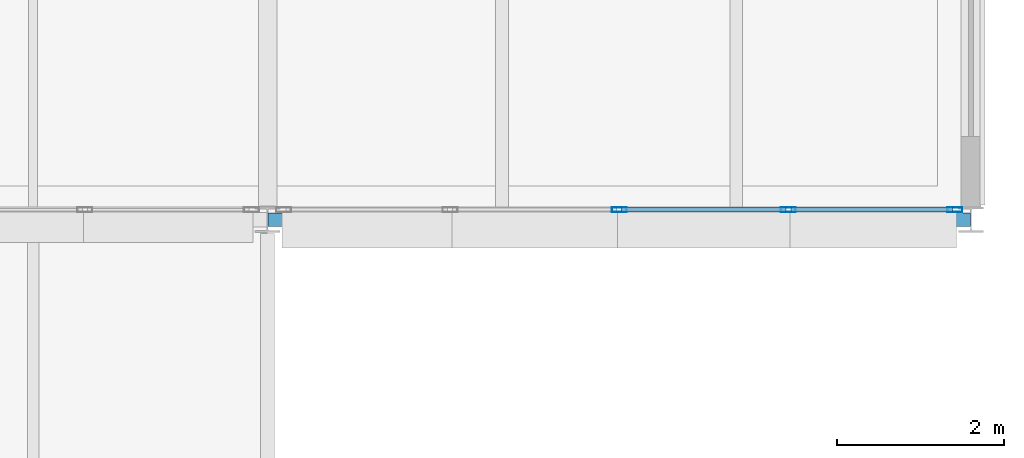
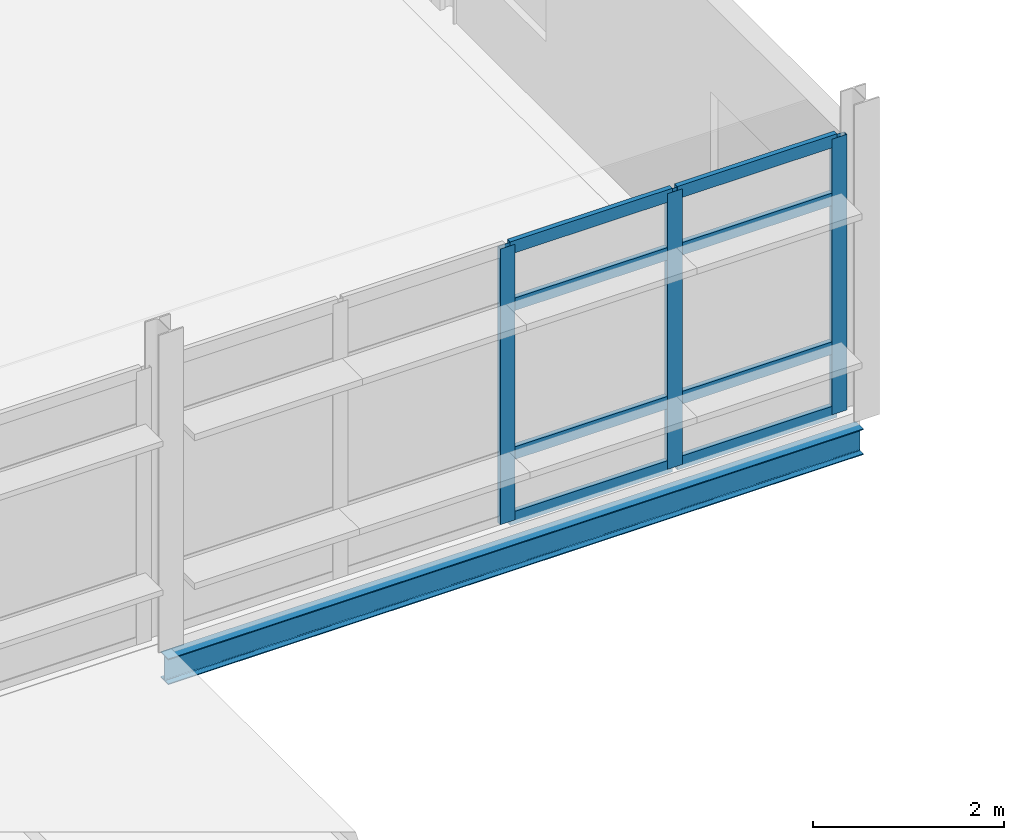
# One storey, part 36 of 57: 11 members, 1 beam, 1 element without a shape of its own.
"""IFC4 building model written with IfcOpenShell, lengths in metres."""

from ifc_helpers import new_model, si_unit, direction, frame, origin, origin_2d, place, context, subcontext, project, spatial, hollow_rectangle, i_section, extrude, material, material_profile, profile_set, type_object, element, aggregate, save


model = new_model("IFC4")

# Units and contexts
model_context = context("Model", 3, precision=1e-05, world=origin(), true_north=direction((0.0, 1.0)))
body_context = subcontext(model_context, "Body", "Model", "MODEL_VIEW")
ifc_project = project(units=[si_unit("LENGTHUNIT", "METRE"), si_unit("AREAUNIT", "SQUARE_METRE"), si_unit("VOLUMEUNIT", "CUBIC_METRE"), si_unit("PLANEANGLEUNIT", "RADIAN"), si_unit("MASSUNIT", "GRAM", prefix="KILO")], contexts=[model_context])

# Site, building, storey
site_placement = place(None, origin())
site = spatial("IfcSite", under=ifc_project, at=site_placement, CompositionType="ELEMENT")
building_placement = place(site_placement, origin())
building = spatial("IfcBuilding", under=site, at=building_placement, Name="Mersafa Astral City Hall", CompositionType="ELEMENT")
storey_placement = place(building_placement, frame((0.0, 0.0, 26.10009765625)))
storey = spatial("IfcBuildingStorey", under=building, at=storey_placement, Name="L06", CompositionType="ELEMENT", Elevation=26.10009765625)

# Curtain wall, members
ifc_material_1 = material(Name="Anodised bronze aluminium framing", Category="aluminium")
curtain_wall_type = type_object("IfcCurtainWallType", Name="ENV-CW-3", PredefinedType="USERDEFINED", material=ifc_material_1)
curtain_wall_placement = place(storey_placement, origin())
curtain_wall = element("IfcCurtainWall", 1, at=curtain_wall_placement, inside=storey, type_object=curtain_wall_type, Name="L06 Unitised solar curtain wall 254", ObjectType="UNITISED CURTAIN WALL", PredefinedType="USERDEFINED")
ifc_material_profile_1 = material_profile(ifc_material_1, hollow_rectangle(XDim=0.06005859375, YDim=0.179931640625, WallThickness=0.00390625, at=origin_2d()), Name="RHS 60x180x4")
ifc_profile_set_1 = profile_set([ifc_material_profile_1], Name="Anodised bronze aluminium framing")
member_type_1 = type_object("IfcMemberType", Name="ENV-CW-MUL-1", PredefinedType="MULLION", material=ifc_profile_set_1)
member_1_placement = place(storey_placement, frame((180.60009765625, 100.919921875, -0.002197265625), z_axis=(0.0, 0.0, 1.0), x_axis=(0.0, 1.0, 0.0)))
member_1 = element("IfcMember", 2, at=member_1_placement, type_object=member_type_1, Name="CW-3 mullion 3", PredefinedType="MULLION", context=body_context, shape_type="SweptSolid", body=[
    extrude(hollow_rectangle(XDim=0.06005859375, YDim=0.179931640625, WallThickness=0.00390625, at=origin_2d()), origin(), (0.0, 0.0, 1.0), 3.51904296875),
])
member_2_placement = place(storey_placement, frame((182.618896484375, 100.919921875, -0.002197265625), z_axis=(0.0, 0.0, 1.0), x_axis=(0.0, 1.0, 0.0)))
member_2 = element("IfcMember", 3, at=member_2_placement, type_object=member_type_1, Name="CW-3 mullion 4", PredefinedType="MULLION", context=body_context, shape_type="SweptSolid", body=[
    extrude(hollow_rectangle(XDim=0.06005859375, YDim=0.179931640625, WallThickness=0.00390625, at=origin_2d()), origin(), (0.0, 0.0, 1.0), 3.51904296875),
])
member_3_placement = place(storey_placement, frame((184.60791015625, 100.919921875, -0.002197265625), z_axis=(0.0, 0.0, 1.0), x_axis=(0.0, 1.0, 0.0)))
member_3 = element("IfcMember", 4, at=member_3_placement, type_object=member_type_1, Name="CW-3 mullion 5", PredefinedType="MULLION", context=body_context, shape_type="SweptSolid", body=[
    extrude(hollow_rectangle(XDim=0.06005859375, YDim=0.179931640625, WallThickness=0.00390625, at=origin_2d()), origin(), (0.0, 0.0, 1.0), 3.51904296875),
])
ifc_material_profile_2 = material_profile(ifc_material_1, hollow_rectangle(XDim=0.06005859375, YDim=0.159912109375, WallThickness=0.00390625, at=origin_2d()), Name="RHS 60x160x4")
ifc_profile_set_2 = profile_set([ifc_material_profile_2], Name="Anodised bronze aluminium framing")
member_type_2 = type_object("IfcMemberType", Name="ENV-CW-TRN-2", PredefinedType="USERDEFINED", material=ifc_profile_set_2)
member_4_placement = place(storey_placement, frame((180.6298828125, 100.919921875, 0.02783203125), z_axis=(1.0, 0.0, 0.0), x_axis=(0.0, 1.0, 0.0)))
member_4 = element("IfcMember", 5, at=member_4_placement, type_object=member_type_2, Name="CW-3 transom 3.1", ObjectType="TRANSOM", PredefinedType="USERDEFINED", context=body_context, shape_type="SweptSolid", body=[
    extrude(hollow_rectangle(XDim=0.06005859375, YDim=0.159912109375, WallThickness=0.00390625, at=origin_2d()), origin(), (0.0, 0.0, 1.0), 1.959228515625),
])
member_5_placement = place(storey_placement, frame((180.6298828125, 100.919921875, 0.849853515625), z_axis=(1.0, 0.0, 0.0), x_axis=(0.0, 1.0, 0.0)))
member_5 = element("IfcMember", 6, at=member_5_placement, type_object=member_type_2, Name="CW-3 transom 3.2", ObjectType="TRANSOM", PredefinedType="USERDEFINED", context=body_context, shape_type="SweptSolid", body=[
    extrude(hollow_rectangle(XDim=0.06005859375, YDim=0.159912109375, WallThickness=0.00390625, at=origin_2d()), origin(), (0.0, 0.0, 1.0), 1.959228515625),
])
member_6_placement = place(storey_placement, frame((180.6298828125, 100.919921875, 2.75), z_axis=(1.0, 0.0, 0.0), x_axis=(0.0, 1.0, 0.0)))
member_6 = element("IfcMember", 7, at=member_6_placement, type_object=member_type_2, Name="CW-3 transom 3.3", ObjectType="TRANSOM", PredefinedType="USERDEFINED", context=body_context, shape_type="SweptSolid", body=[
    extrude(hollow_rectangle(XDim=0.06005859375, YDim=0.159912109375, WallThickness=0.00390625, at=origin_2d()), origin(), (0.0, 0.0, 1.0), 1.959228515625),
])
member_7_placement = place(storey_placement, frame((180.6298828125, 100.919921875, 3.48681640625), z_axis=(1.0, 0.0, 0.0), x_axis=(0.0, 1.0, 0.0)))
member_7 = element("IfcMember", 8, at=member_7_placement, type_object=member_type_2, Name="CW-3 transom 3.4", ObjectType="TRANSOM", PredefinedType="USERDEFINED", context=body_context, shape_type="SweptSolid", body=[
    extrude(hollow_rectangle(XDim=0.06005859375, YDim=0.159912109375, WallThickness=0.00390625, at=origin_2d()), origin(), (0.0, 0.0, 1.0), 1.959228515625),
])
member_8_placement = place(storey_placement, frame((182.64892578125, 100.919921875, 0.02783203125), z_axis=(1.0, 0.0, 0.0), x_axis=(0.0, 1.0, 0.0)))
member_8 = element("IfcMember", 9, at=member_8_placement, type_object=member_type_2, Name="CW-3 transom 4.1", ObjectType="TRANSOM", PredefinedType="USERDEFINED", context=body_context, shape_type="SweptSolid", body=[
    extrude(hollow_rectangle(XDim=0.06005859375, YDim=0.159912109375, WallThickness=0.00390625, at=origin_2d()), origin(), (0.0, 0.0, 1.0), 1.928955078125),
])
member_9_placement = place(storey_placement, frame((182.64892578125, 100.919921875, 0.849853515625), z_axis=(1.0, 0.0, 0.0), x_axis=(0.0, 1.0, 0.0)))
member_9 = element("IfcMember", 10, at=member_9_placement, type_object=member_type_2, Name="CW-3 transom 4.2", ObjectType="TRANSOM", PredefinedType="USERDEFINED", context=body_context, shape_type="SweptSolid", body=[
    extrude(hollow_rectangle(XDim=0.06005859375, YDim=0.159912109375, WallThickness=0.00390625, at=origin_2d()), origin(), (0.0, 0.0, 1.0), 1.928955078125),
])
member_10_placement = place(storey_placement, frame((182.64892578125, 100.919921875, 2.75), z_axis=(1.0, 0.0, 0.0), x_axis=(0.0, 1.0, 0.0)))
member_10 = element("IfcMember", 11, at=member_10_placement, type_object=member_type_2, Name="CW-3 transom 4.3", ObjectType="TRANSOM", PredefinedType="USERDEFINED", context=body_context, shape_type="SweptSolid", body=[
    extrude(hollow_rectangle(XDim=0.06005859375, YDim=0.159912109375, WallThickness=0.00390625, at=origin_2d()), origin(), (0.0, 0.0, 1.0), 1.928955078125),
])
member_11_placement = place(storey_placement, frame((182.64892578125, 100.919921875, 3.48681640625), z_axis=(1.0, 0.0, 0.0), x_axis=(0.0, 1.0, 0.0)))
member_11 = element("IfcMember", 12, at=member_11_placement, type_object=member_type_2, Name="CW-3 transom 4.4", ObjectType="TRANSOM", PredefinedType="USERDEFINED", context=body_context, shape_type="SweptSolid", body=[
    extrude(hollow_rectangle(XDim=0.06005859375, YDim=0.159912109375, WallThickness=0.00390625, at=origin_2d()), origin(), (0.0, 0.0, 1.0), 1.928955078125),
])
aggregate(curtain_wall, [member_1, member_2, member_3, member_4, member_5, member_6, member_7, member_8, member_9, member_10, member_11])

# Beam
ifc_material_2 = material(Name="Steel S355", Category="steel")
ifc_material_profile_3 = material_profile(ifc_material_2, i_section(OverallWidth=0.159912109375, OverallDepth=0.330078125, WebThickness=0.007568359375, FlangeThickness=0.011474609375, FilletRadius=0.01806640625, at=origin_2d()), Name="IPE 330")
ifc_profile_set_3 = profile_set([ifc_material_profile_3], Name="Steel S355")
beam_type = type_object("IfcBeamType", Name="STR-BM-SPANDREL-IPE330", PredefinedType="SPANDREL", material=ifc_profile_set_3)
beam_placement = place(storey_placement, frame((176.403076171875, 100.800048828125, -0.340087890625), z_axis=(1.0, 0.0, 0.0), x_axis=(0.0, 1.0, 0.0)))
element("IfcBeam", 13, at=beam_placement, inside=storey, type_object=beam_type, Name="L06 Primary girder X 21-12", PredefinedType="SPANDREL", context=body_context, shape_type="SweptSolid", body=[
    extrude(i_section(OverallWidth=0.159912109375, OverallDepth=0.330078125, WebThickness=0.007568359375, FlangeThickness=0.011474609375, FilletRadius=0.01806640625, at=origin_2d()), origin(), (0.0, 0.0, 1.0), 8.39404296875),
])

save(model, "model.ifc")
